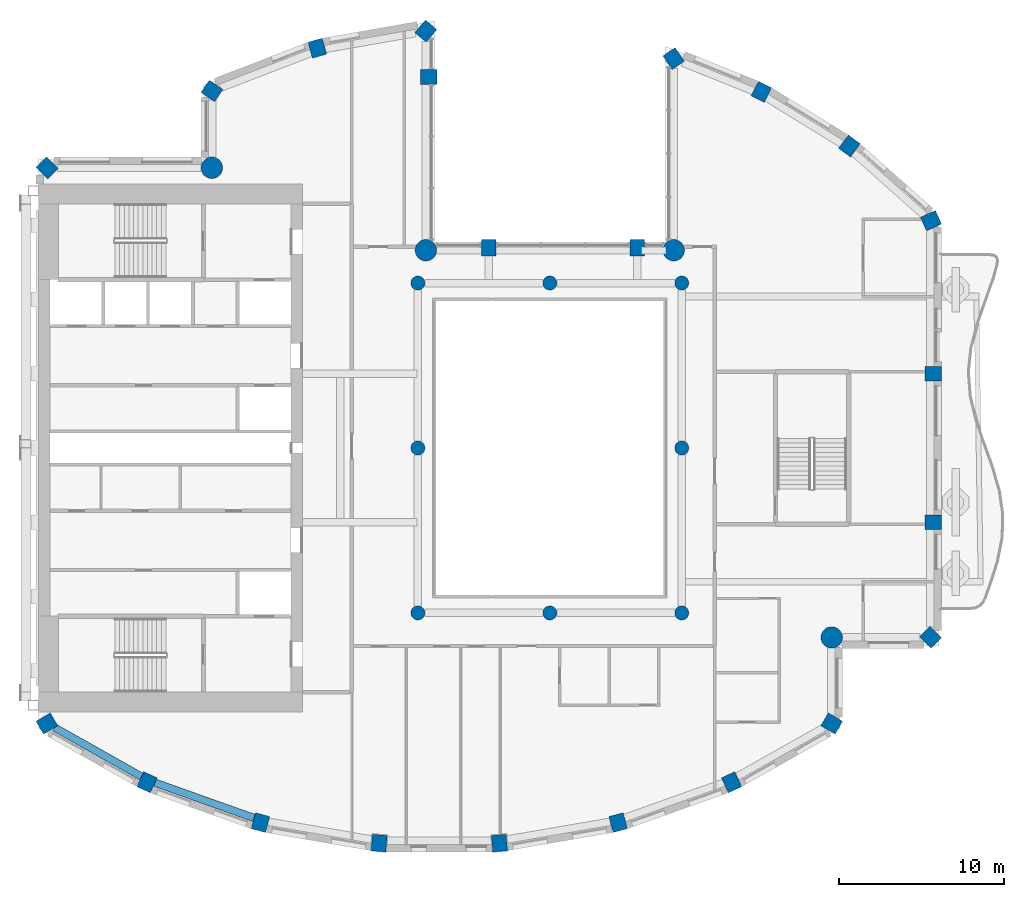
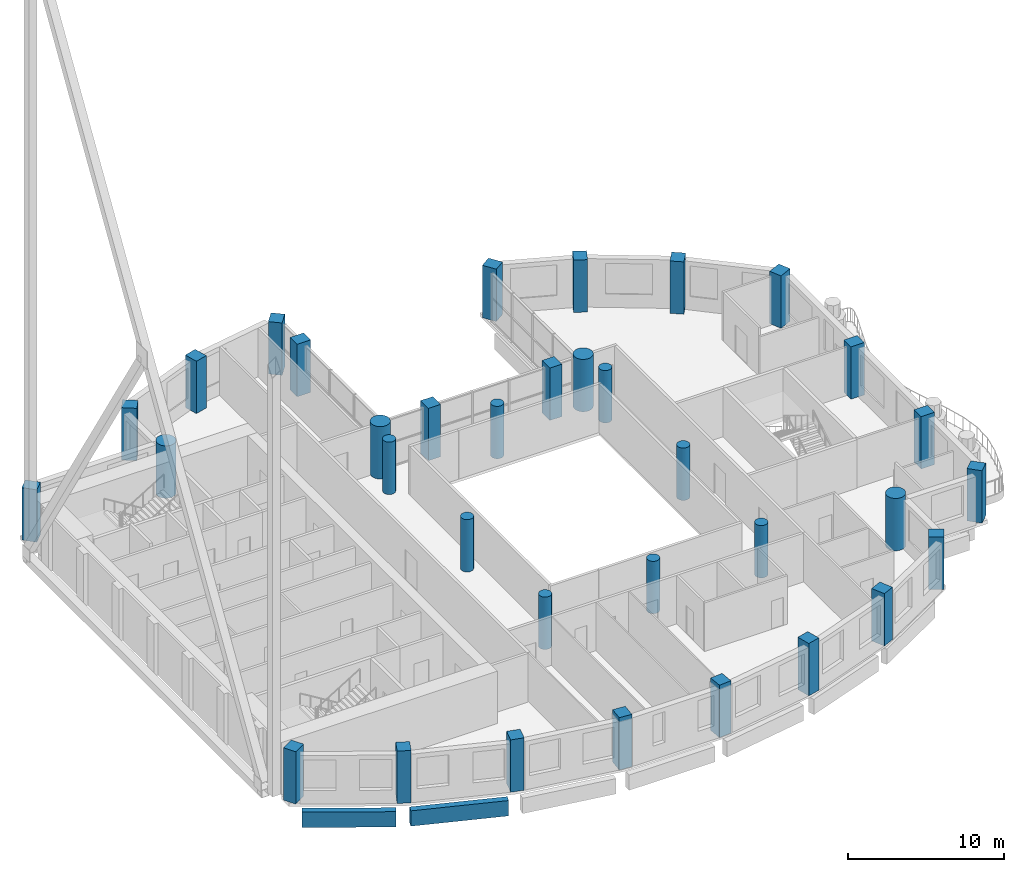
# One storey, part 1 of 18: 34 columns, 2 beams.
"""IFC4 building model written with IfcOpenShell, lengths in metres."""

from ifc_helpers import new_model, si_unit, direction, frame, origin, origin_2d, place, context, subcontext, project, spatial, rectangle, circle, extrude, material, material_profile, profile_set, type_object, element, save


model = new_model("IFC4")

# Units and contexts
model_context = context("Model", 3, precision=1e-05, world=origin(), true_north=direction((0.0, 1.0)))
body_context = subcontext(model_context, "Body", "Model", "MODEL_VIEW")
ifc_project = project(units=[si_unit("LENGTHUNIT", "METRE"), si_unit("AREAUNIT", "SQUARE_METRE"), si_unit("VOLUMEUNIT", "CUBIC_METRE"), si_unit("PLANEANGLEUNIT", "RADIAN"), si_unit("MASSUNIT", "GRAM", prefix="KILO")], contexts=[model_context])

# Site, building, storey
site_placement = place(None, origin())
site = spatial("IfcSite", under=ifc_project, at=site_placement, CompositionType="ELEMENT")
building_placement = place(site_placement, origin())
building = spatial("IfcBuilding", under=site, at=building_placement, Name="Cypress Arch Tower", CompositionType="ELEMENT")
storey_placement = place(building_placement, frame((0.0, 0.0, 288.5)))
storey = spatial("IfcBuildingStorey", under=building, at=storey_placement, Name="L65", CompositionType="ELEMENT", Elevation=288.5)

# Columns
ifc_material_1 = material(Name="Concrete C60/75", Category="concrete")
ifc_material_profile_1 = material_profile(ifc_material_1, rectangle(XDim=0.89990234375, YDim=1.0, at=origin_2d()), Name="RC 900x1000")
ifc_profile_set_1 = profile_set([ifc_material_profile_1], Name="Concrete C60/75")
column_type_1 = type_object("IfcColumnType", Name="Column RC 900x1000 Concrete C60/75", PredefinedType="COLUMN", material=ifc_profile_set_1)
for number, where, z_axis, x_axis, name in (
    (1, (8.5029296875, 23.606201171875, 0.0), (0.0, 0.0, 1.0), (-0.828469606019, -0.560034027451, 0.0), "Column L65 CC00"),
    (2, (6.300048828125, 12.14990234375, 0.0), (0.0, 0.0, 1.0), (-1.0, 0.0, 0.0), "Column L65 CC02"),
    (3, (-2.699951171875, 12.14990234375, 0.0), (0.0, 0.0, 1.0), (-1.0, 0.0, 0.0), "Column L65 CC03"),
    (4, (-6.35009765625, 22.5, 0.0), (0.0, 0.0, 1.0), (0.0, 1.0, 0.0), "Column L65 CC05"),
    (5, (-6.51611328125, 25.27490234375, 0.0), (0.0, 0.0, 1.0), (-0.766063514674, 0.642764880407, 0.0), "Column L65 CC06"),
    (6, (-13.0947265625, 24.241455078125, 0.0), (0.0, 0.0, 1.0), (-0.96345574646, -0.267867550506, 0.0), "Column L65 CC07"),
    (7, (-19.483154296875, 21.645263671875, 0.0), (0.0, 0.0, 1.0), (-0.565892599589, -0.824478966215, 0.0), "Column L65 CC08"),
    (8, (-29.478271484375, 16.978271484375, 0.0), (0.0, 0.0, 1.0), (-0.707106781187, -0.707106781187, 0.0), "Column L65 CC10"),
    (9, (-29.4912109375, -16.702880859375, 0.0), (0.0, 0.0, 1.0), (0.504399289829, -0.86347053014, 0.0), "Column L65 CC11"),
    (10, (-23.4189453125, -20.266845703125, 0.0), (0.0, 0.0, 1.0), (0.909932071487, -0.414757308891, 0.0), "Column L65 CC12"),
    (11, (-16.541748046875, -22.714599609375, 0.0), (0.0, 0.0, 1.0), (0.96735573689, -0.2534223319, 0.0), "Column L65 CC13"),
    (12, (-9.346923828125, -23.95361328125, 0.0), (0.0, 0.0, 1.0), (0.996368206733, -0.085149260784, 0.0), "Column L65 CC14"),
    (13, (-2.052978515625, -23.95361328125, 0.0), (0.0, 0.0, 1.0), (0.996368206733, 0.085149260784, 0.0), "Column L65 CC15"),
    (14, (5.1416015625, -22.714599609375, 0.0), (0.0, 0.0, 1.0), (0.96735573689, 0.2534223319, 0.0), "Column L65 CC16"),
    (15, (12.01904296875, -20.266845703125, 0.0), (0.0, 0.0, 1.0), (0.909932071487, 0.414757308891, 0.0), "Column L65 CC17"),
    (16, (18.09130859375, -16.702880859375, 0.0), (0.0, 0.0, 1.0), (0.504399289829, 0.86347053014, 0.0), "Column L65 CC18"),
    (17, (24.078369140625, -11.478271484375, 0.0), (0.0, 0.0, 1.0), (0.707106781187, 0.707106781187, 0.0), "Column L65 CC20"),
    (18, (24.25, -4.5, 0.0), (0.0, 0.0, 1.0), (0.0, 1.0, 0.0), "Column L65 CC21"),
    (19, (24.25, 4.5, 0.0), (0.0, 0.0, 1.0), (0.0, 1.0, 0.0), "Column L65 CC22"),
    (20, (24.109619140625, 13.77978515625, 0.0), (0.0, 0.0, 1.0), (-0.409765058504, 0.912191096662, 0.0), "Column L65 CC23"),
    (21, (19.168212890625, 18.307861328125, 0.0), (0.0, 0.0, 1.0), (-0.802798546114, 0.596250362144, 0.0), "Column L65 CC24"),
    (22, (13.82568359375, 21.59375, 0.0), (0.0, 0.0, 1.0), (-0.893106499805, 0.44984528452, 0.0), "Column L65 CC25"),
):
    element("IfcColumn", number, at=place(storey_placement, frame(where, z_axis=z_axis, x_axis=x_axis)), inside=storey, type_object=column_type_1, Name=name, PredefinedType="COLUMN", context=body_context, shape_type="SweptSolid", body=[
        extrude(rectangle(XDim=0.89990234375, YDim=1.0, at=origin_2d()), origin(), (0.0, 0.0, 1.0), 4.10009765625),
    ])
ifc_material_2 = material(Name="Concrete C60/75", Category="concrete")
ifc_material_profile_2 = material_profile(ifc_material_2, circle(Radius=0.425048828125, at=origin_2d()), Name="RC D850")
ifc_profile_set_2 = profile_set([ifc_material_profile_2], Name="Concrete C60/75")
column_type_2 = type_object("IfcColumnType", Name="Column RC D850 Concrete C60/75", PredefinedType="COLUMN", material=ifc_profile_set_2)
for number, where, z_axis, x_axis, name in (
    (23, (-7.0, -10.0, 0.0), (0.0, 0.0, 1.0), (1.0, 0.0, 0.0), "Column L65 RNG-L65-G-7-10"),
    (24, (-7.0, 0.0, 0.0), (0.0, 0.0, 1.0), (1.0, 0.0, 0.0), "Column L65 RNG-L65-G-7+0"),
    (25, (-7.0, 10.0, 0.0), (0.0, 0.0, 1.0), (1.0, 0.0, 0.0), "Column L65 RNG-L65-G-7+10"),
    (26, (1.0, -10.0, 0.0), (0.0, 0.0, 1.0), (1.0, 0.0, 0.0), "Column L65 RNG-L65-G+1-10"),
    (27, (1.0, 10.0, 0.0), (0.0, 0.0, 1.0), (1.0, 0.0, 0.0), "Column L65 RNG-L65-G+1+10"),
    (28, (9.0, -10.0, 0.0), (0.0, 0.0, 1.0), (1.0, 0.0, 0.0), "Column L65 RNG-L65-G+9-10"),
    (29, (9.0, 0.0, 0.0), (0.0, 0.0, 1.0), (1.0, 0.0, 0.0), "Column L65 RNG-L65-G+9+0"),
    (30, (9.0, 10.0, 0.0), (0.0, 0.0, 1.0), (1.0, 0.0, 0.0), "Column L65 RNG-L65-G+9+10"),
):
    element("IfcColumn", number, at=place(storey_placement, frame(where, z_axis=z_axis, x_axis=x_axis)), inside=storey, type_object=column_type_2, Name=name, PredefinedType="COLUMN", context=body_context, shape_type="SweptSolid", body=[
        extrude(circle(Radius=0.425048828125, at=origin_2d()), origin(), (0.0, 0.0, 1.0), 4.10009765625),
    ])
ifc_material_3 = material(Name="Concrete C60/75", Category="concrete")
ifc_material_profile_3 = material_profile(ifc_material_3, circle(Radius=0.64990234375, at=origin_2d()), Name="RC D1300")
ifc_profile_set_3 = profile_set([ifc_material_profile_3], Name="Concrete C60/75")
column_type_3 = type_object("IfcColumnType", Name="Mega-column RC D1300 Concrete C60/75", PredefinedType="COLUMN", material=ifc_profile_set_3)
for number, where, z_axis, x_axis, name in (
    (31, (8.51220703125, 11.98779296875, 0.0), (0.0, 0.0, 1.0), (1.0, 0.0, 0.0), "Column L65 CC01"),
    (32, (-6.51220703125, 11.98779296875, 0.0), (0.0, 0.0, 1.0), (1.0, 0.0, 0.0), "Column L65 CC04"),
    (33, (-19.48779296875, 16.98779296875, 0.0), (0.0, 0.0, 1.0), (1.0, 0.0, 0.0), "Column L65 CC09"),
    (34, (18.087890625, -11.48779296875, 0.0), (0.0, 0.0, 1.0), (1.0, 0.0, 0.0), "Column L65 CC19"),
):
    element("IfcColumn", number, at=place(storey_placement, frame(where, z_axis=z_axis, x_axis=x_axis)), inside=storey, type_object=column_type_3, Name=name, PredefinedType="COLUMN", context=body_context, shape_type="SweptSolid", body=[
        extrude(circle(Radius=0.64990234375, at=origin_2d()), origin(), (0.0, 0.0, 1.0), 4.10009765625),
    ])

# Beams
ifc_material_4 = material(Name="Concrete C50/60", Category="concrete")
ifc_material_profile_4 = material_profile(ifc_material_4, rectangle(XDim=0.449951171875, YDim=1.199951171875, at=origin_2d()), Name="RC 450x1200")
ifc_profile_set_4 = profile_set([ifc_material_profile_4], Name="Concrete C50/60")
beam_type = type_object("IfcBeamType", Name="Spandrel beam RC 450x1200 Concrete C50/60", PredefinedType="SPANDREL", material=ifc_profile_set_4)
beam_1_placement = place(storey_placement, frame((-29.02099609375, -16.94921875, -1.550048828125), z_axis=(0.871059543975, -0.491177433165, 0.0), x_axis=(0.491177433165, 0.871059543975, 0.0)))
element("IfcBeam", 35, at=beam_1_placement, inside=storey, type_object=beam_type, Name="Spandrel beam L65 BC08-0", PredefinedType="SPANDREL", context=body_context, shape_type="SweptSolid", body=[
    extrude(rectangle(XDim=0.449951171875, YDim=1.199951171875, at=origin_2d()), origin(), (0.0, 0.0, 1.0), 6.045654296875),
])
beam_2_placement = place(storey_placement, frame((-22.93603515625, -20.2919921875, -1.550048828125), z_axis=(0.942120065582, -0.33527568064, 0.0), x_axis=(0.33527568064, 0.942120065582, 0.0)))
element("IfcBeam", 36, at=beam_2_placement, inside=storey, type_object=beam_type, Name="Spandrel beam L65 BC09-0", PredefinedType="SPANDREL", context=body_context, shape_type="SweptSolid", body=[
    extrude(rectangle(XDim=0.449951171875, YDim=1.199951171875, at=origin_2d()), origin(), (0.0, 0.0, 1.0), 6.373046875),
])

save(model, "model.ifc")
